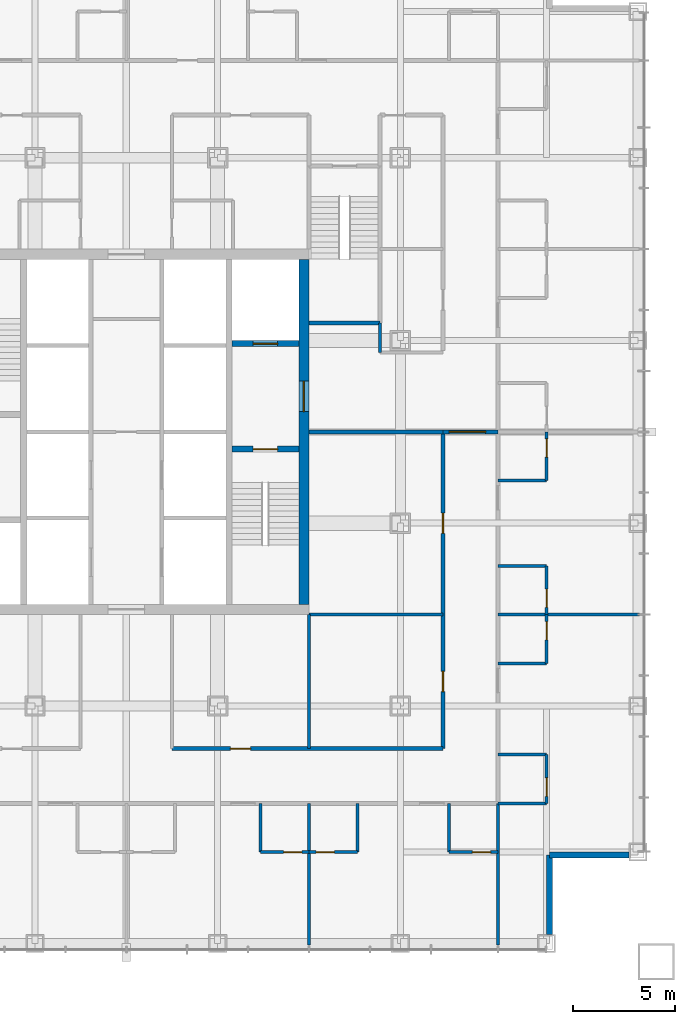
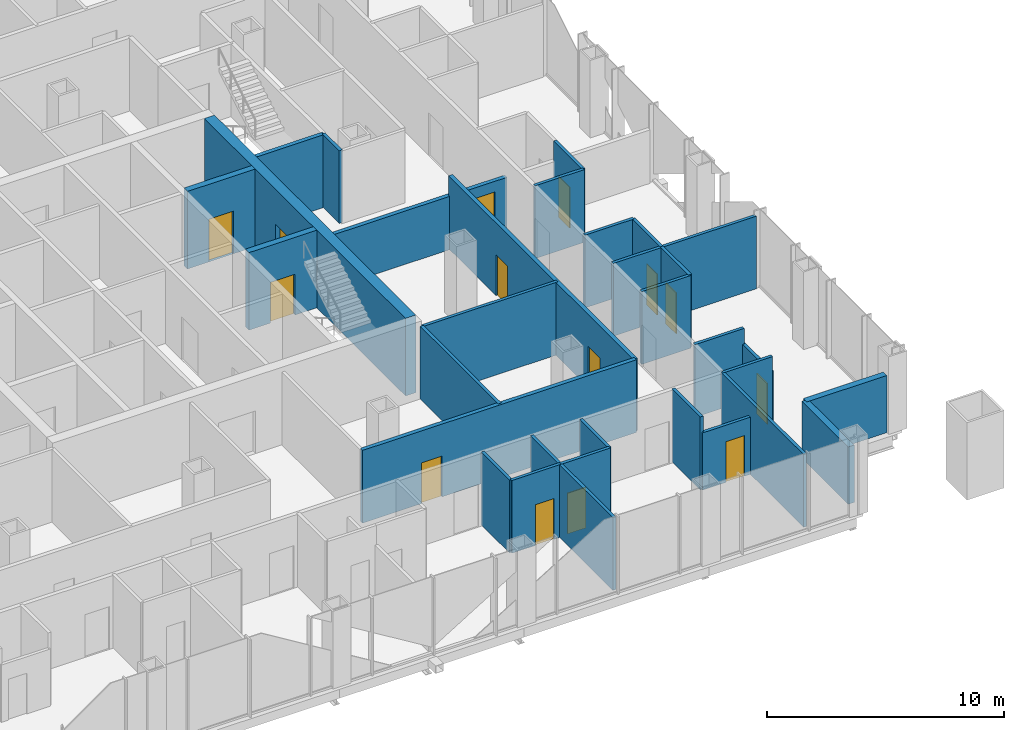
# One storey, part 9 of 13: 31 walls, 14 doors, 14 openings.
"""IFC4 building model written with IfcOpenShell, lengths in metres."""

from ifc_helpers import new_model, si_unit, direction, frame, frame_2d, origin, place, context, subcontext, project, spatial, rectangle, extrude, material, layer, layer_set, type_object, element, fill, save


model = new_model("IFC4")

# Units and contexts
model_context = context("Model", 3, precision=1e-05, world=origin(), true_north=direction((0.0, 1.0)))
body_context = subcontext(model_context, "Body", "Model", "MODEL_VIEW")
ifc_project = project(units=[si_unit("LENGTHUNIT", "METRE"), si_unit("AREAUNIT", "SQUARE_METRE"), si_unit("VOLUMEUNIT", "CUBIC_METRE"), si_unit("PLANEANGLEUNIT", "RADIAN"), si_unit("MASSUNIT", "GRAM", prefix="KILO")], contexts=[model_context])

# Site, building, storey
site_placement = place(None, origin())
site = spatial("IfcSite", under=ifc_project, at=site_placement, CompositionType="ELEMENT")
building_placement = place(site_placement, origin())
building = spatial("IfcBuilding", under=site, at=building_placement, Name="Malebo Sky Hospital", CompositionType="ELEMENT")
storey_placement = place(building_placement, frame((0.0, 0.0, 47.0)))
storey = spatial("IfcBuildingStorey", under=building, at=storey_placement, Name="L10", CompositionType="ELEMENT", Elevation=47.0)

# Wall, opening, door
ifc_material_1 = material(Name="Concrete C80/95", Category="concrete")
ifc_layer_1 = layer(ifc_material_1, 0.300048828125)
ifc_layer_set_1 = layer_set([ifc_layer_1], Name="CORE INNER WALL 300")
wall_type_1 = type_object("IfcWallType", Name="CORE INNER WALL 300", PredefinedType="SHEAR", material=ifc_layer_set_1)
wall_1_placement = place(storey_placement, frame((65.199951171875, 61.14990234375, 0.0), z_axis=(0.0, 0.0, 1.0), x_axis=(1.0, 0.0, 0.0)))
wall_1 = element("IfcWall", 1, at=wall_1_placement, inside=storey, type_object=wall_type_1, Name="Core wall E1 L10", PredefinedType="SHEAR", context=body_context, shape_type="SweptSolid", body=[
    extrude(rectangle(XDim=3.300048828125, YDim=0.300048828125, at=frame_2d((1.64990234375, 0.0))), origin(), (0.0, 0.0, 1.0), 4.0),
])
opening_1_placement = place(wall_1_placement, frame((1.050048828125, 0.0, 0.0)))
opening_1 = element("IfcOpeningElement", 2, at=opening_1_placement, cuts=wall_1, Name="Opening D08", PredefinedType="OPENING", context=body_context, shape_type="SweptSolid", body=[
    extrude(rectangle(XDim=1.199951171875, YDim=2.10009765625, at=frame_2d((0.60009765625, 1.050048828125))), frame((0.0, 0.159912109375, 0.0), z_axis=(0.0, -1.0, 0.0), x_axis=(1.0, 0.0, 0.0)), (0.0, 0.0, 1.0), 0.320068359375),
])
ifc_material_2 = material(Name="Hardwood-faced door leaf in steel frame", Category="steel")
door_type_1 = type_object("IfcDoorType", Name="STAIR DOOR 1200", OperationType="SINGLE_SWING_LEFT", PredefinedType="DOOR", material=ifc_material_2)
door_1_placement = place(opening_1_placement, origin())
door_1 = element("IfcDoor", 3, at=door_1_placement, inside=storey, type_object=door_type_1, Name="Stair S2 door", OperationType="SINGLE_SWING_LEFT", OverallHeight=2.10009765625, OverallWidth=1.199951171875, PredefinedType="DOOR", context=body_context, shape_type="SweptSolid", body=[
    extrude(rectangle(XDim=1.199951171875, YDim=2.10009765625, at=frame_2d((0.60009765625, 1.050048828125))), frame((0.0, 0.02490234375, 0.0), z_axis=(0.0, -1.0, 0.0), x_axis=(1.0, 0.0, 0.0)), (0.0, 0.0, 1.0), 0.050048828125),
])
fill(opening_1, door_1)

wall_2_placement = place(storey_placement, frame((65.199951171875, 66.35009765625, 0.0), z_axis=(0.0, 0.0, 1.0), x_axis=(1.0, 0.0, 0.0)))
wall_2 = element("IfcWall", 4, at=wall_2_placement, inside=storey, type_object=wall_type_1, Name="Core wall E2 L10", PredefinedType="SHEAR", context=body_context, shape_type="SweptSolid", body=[
    extrude(rectangle(XDim=3.300048828125, YDim=0.300048828125, at=frame_2d((1.64990234375, 0.0))), origin(), (0.0, 0.0, 1.0), 4.0),
])
opening_2_placement = place(wall_2_placement, frame((1.050048828125, 0.0, 0.0)))
opening_2 = element("IfcOpeningElement", 5, at=opening_2_placement, cuts=wall_2, Name="Opening LD2", PredefinedType="OPENING", context=body_context, shape_type="SweptSolid", body=[
    extrude(rectangle(XDim=1.199951171875, YDim=2.199951171875, at=frame_2d((0.60009765625, 1.10009765625))), frame((0.0, 0.159912109375, 0.0), z_axis=(0.0, -1.0, 0.0), x_axis=(1.0, 0.0, 0.0)), (0.0, 0.0, 1.0), 0.320068359375),
])
ifc_material_3 = material(Name="Stainless steel sliding landing door", Category="steel")
door_type_2 = type_object("IfcDoorType", Name="FIRE-FIGHTING LIFT LANDING DOOR 1200", OperationType="SLIDING_TO_LEFT", PredefinedType="DOOR", material=ifc_material_3)
door_2_placement = place(opening_2_placement, origin())
door_2 = element("IfcDoor", 6, at=door_2_placement, inside=storey, type_object=door_type_2, Name="Lift FL2 landing door", OperationType="SLIDING_TO_LEFT", OverallHeight=2.199951171875, OverallWidth=1.199951171875, PredefinedType="DOOR", context=body_context, shape_type="SweptSolid", body=[
    extrude(rectangle(XDim=1.199951171875, YDim=2.199951171875, at=frame_2d((0.60009765625, 1.10009765625))), frame((0.0, 0.02490234375, 0.0), z_axis=(0.0, -1.0, 0.0), x_axis=(1.0, 0.0, 0.0)), (0.0, 0.0, 1.0), 0.050048828125),
])
fill(opening_2, door_2)

ifc_layer_2 = layer(ifc_material_1, 0.5)
ifc_layer_set_2 = layer_set([ifc_layer_2], Name="CORE WALL 500")
wall_type_2 = type_object("IfcWallType", Name="CORE WALL 500", PredefinedType="SHEAR", material=ifc_layer_set_2)
wall_3_placement = place(storey_placement, frame((68.75, 53.5, 0.0), z_axis=(0.0, 0.0, 1.0), x_axis=(0.0, 1.0, 0.0)))
wall_3 = element("IfcWall", 7, at=wall_3_placement, inside=storey, type_object=wall_type_2, Name="Core wall E L10", PredefinedType="SHEAR", context=body_context, shape_type="SweptSolid", body=[
    extrude(rectangle(XDim=17.0, YDim=0.5, at=frame_2d((8.5, 0.0))), origin(), (0.0, 0.0, 1.0), 4.0),
])
opening_3_placement = place(wall_3_placement, frame((9.5, 0.0, 0.0)))
opening_3 = element("IfcOpeningElement", 8, at=opening_3_placement, cuts=wall_3, Name="Opening D07", PredefinedType="OPENING", context=body_context, shape_type="SweptSolid", body=[
    extrude(rectangle(XDim=1.5, YDim=2.199951171875, at=frame_2d((0.75, 1.10009765625))), frame((0.0, 0.260009765625, 0.0), z_axis=(0.0, -1.0, 0.0), x_axis=(1.0, 0.0, 0.0)), (0.0, 0.0, 1.0), 0.52001953125),
])
door_type_3 = type_object("IfcDoorType", Name="FIRE-FIGHTING LOBBY DOOR PAIR 1500", OperationType="DOUBLE_DOOR_SINGLE_SWING", PredefinedType="DOOR", material=ifc_material_2)
door_3_placement = place(opening_3_placement, origin())
door_3 = element("IfcDoor", 9, at=door_3_placement, inside=storey, type_object=door_type_3, Name="Fire-fighting lobby door east", OperationType="DOUBLE_DOOR_SINGLE_SWING", OverallHeight=2.199951171875, OverallWidth=1.5, PredefinedType="DOOR", context=body_context, shape_type="SweptSolid", body=[
    extrude(rectangle(XDim=1.5, YDim=2.199951171875, at=frame_2d((0.75, 1.10009765625))), frame((0.0, 0.02490234375, 0.0), z_axis=(0.0, -1.0, 0.0), x_axis=(1.0, 0.0, 0.0)), (0.0, 0.0, 1.0), 0.050048828125),
])
fill(opening_3, door_3)

ifc_material_4 = material(Name="Gypsum board on steel studs", Category="steel")
ifc_layer_3 = layer(ifc_material_4, 0.199951171875)
ifc_layer_set_3 = layer_set([ifc_layer_3], Name="CORRIDOR WALL 200")
wall_type_3 = type_object("IfcWallType", Name="CORRIDOR WALL 200", PredefinedType="PARTITIONING", material=ifc_layer_set_3)
wall_4_placement = place(storey_placement, frame((75.60009765625, 46.39990234375, 0.0), z_axis=(0.0, 0.0, 1.0), x_axis=(-1.0, 0.0, 0.0)))
wall_4 = element("IfcWall", 10, at=wall_4_placement, inside=storey, type_object=wall_type_3, Name="Corridor Wall 200 SCI1", PredefinedType="PARTITIONING", context=body_context, shape_type="SweptSolid", body=[
    extrude(rectangle(XDim=13.35009765625, YDim=0.199951171875, at=frame_2d((6.675048828125, 0.0))), origin(), (0.0, 0.0, 1.0), 3.75),
])
opening_4_placement = place(wall_4_placement, frame((9.47509765625, 0.0, 0.0)))
opening_4 = element("IfcOpeningElement", 11, at=opening_4_placement, cuts=wall_4, Name="Opening D03", PredefinedType="OPENING", context=body_context, shape_type="SweptSolid", body=[
    extrude(rectangle(XDim=1.0, YDim=2.10009765625, at=frame_2d((0.5, 1.050048828125))), frame((0.0, 0.10986328125, 0.0), z_axis=(0.0, -1.0, 0.0), x_axis=(1.0, 0.0, 0.0)), (0.0, 0.0, 1.0), 0.219970703125),
])
door_type_4 = type_object("IfcDoorType", Name="ROOM DOOR 1000", OperationType="SINGLE_SWING_LEFT", PredefinedType="DOOR", material=ifc_material_2)
door_4_placement = place(opening_4_placement, origin())
door_4 = element("IfcDoor", 12, at=door_4_placement, inside=storey, type_object=door_type_4, Name="Treatment room door", OperationType="SINGLE_SWING_LEFT", OverallHeight=2.10009765625, OverallWidth=1.0, PredefinedType="DOOR", context=body_context, shape_type="SweptSolid", body=[
    extrude(rectangle(XDim=1.0, YDim=2.10009765625, at=frame_2d((0.5, 1.050048828125))), frame((0.0, 0.02490234375, 0.0), z_axis=(0.0, -1.0, 0.0), x_axis=(1.0, 0.0, 0.0)), (0.0, 0.0, 1.0), 0.050048828125),
])
fill(opening_4, door_4)

# Wall, openings, doors
wall_5_placement = place(storey_placement, frame((75.60009765625, 62.0, 0.0), z_axis=(0.0, 0.0, 1.0), x_axis=(0.0, -1.0, 0.0)))
wall_5 = element("IfcWall", 13, at=wall_5_placement, inside=storey, type_object=wall_type_3, Name="Corridor Wall 200 ECI2", PredefinedType="PARTITIONING", context=body_context, shape_type="SweptSolid", body=[
    extrude(rectangle(XDim=15.60009765625, YDim=0.199951171875, at=frame_2d((7.800048828125, 0.0))), origin(), (0.0, 0.0, 1.0), 3.75),
])
opening_5_placement = place(wall_5_placement, frame((4.0, 0.0, 0.0)))
opening_5 = element("IfcOpeningElement", 14, at=opening_5_placement, cuts=wall_5, Name="Opening D03", PredefinedType="OPENING", context=body_context, shape_type="SweptSolid", body=[
    extrude(rectangle(XDim=1.0, YDim=2.10009765625, at=frame_2d((0.5, 1.050048828125))), frame((0.0, 0.10986328125, 0.0), z_axis=(0.0, -1.0, 0.0), x_axis=(1.0, 0.0, 0.0)), (0.0, 0.0, 1.0), 0.219970703125),
])
opening_6_placement = place(wall_5_placement, frame((11.800048828125, 0.0, 0.0)))
opening_6 = element("IfcOpeningElement", 15, at=opening_6_placement, cuts=wall_5, Name="Opening D03", PredefinedType="OPENING", context=body_context, shape_type="SweptSolid", body=[
    extrude(rectangle(XDim=1.0, YDim=2.10009765625, at=frame_2d((0.5, 1.050048828125))), frame((0.0, 0.10986328125, 0.0), z_axis=(0.0, -1.0, 0.0), x_axis=(1.0, 0.0, 0.0)), (0.0, 0.0, 1.0), 0.219970703125),
])
door_5_placement = place(opening_5_placement, origin())
door_5 = element("IfcDoor", 16, at=door_5_placement, inside=storey, type_object=door_type_4, Name="Staff rest room door", OperationType="SINGLE_SWING_LEFT", OverallHeight=2.10009765625, OverallWidth=1.0, PredefinedType="DOOR", context=body_context, shape_type="SweptSolid", body=[
    extrude(rectangle(XDim=1.0, YDim=2.10009765625, at=frame_2d((0.5, 1.050048828125))), frame((0.0, 0.02490234375, 0.0), z_axis=(0.0, -1.0, 0.0), x_axis=(1.0, 0.0, 0.0)), (0.0, 0.0, 1.0), 0.050048828125),
])
fill(opening_5, door_5)
door_6_placement = place(opening_6_placement, origin())
door_6 = element("IfcDoor", 17, at=door_6_placement, inside=storey, type_object=door_type_4, Name="Dirty utility room door", OperationType="SINGLE_SWING_RIGHT", OverallHeight=2.10009765625, OverallWidth=1.0, PredefinedType="DOOR", context=body_context, shape_type="SweptSolid", body=[
    extrude(rectangle(XDim=1.0, YDim=2.10009765625, at=frame_2d((0.5, 1.050048828125))), frame((0.0, 0.02490234375, 0.0), z_axis=(0.0, -1.0, 0.0), x_axis=(1.0, 0.0, 0.0)), (0.0, 0.0, 1.0), 0.050048828125),
])
fill(opening_6, door_6)

# Walls
ifc_material_5 = material(Name="Anodised aluminium rainscreen on steel framing", Category="steel")
ifc_layer_4 = layer(ifc_material_5, 0.300048828125)
ifc_layer_set_4 = layer_set([ifc_layer_4], Name="NOTCH RAINSCREEN WALL 300")
wall_type_4 = type_object("IfcWallType", Name="NOTCH RAINSCREEN WALL 300", PredefinedType="ELEMENTEDWALL", material=ifc_layer_set_4)
for number, where, z_axis, x_axis, name in (
    (18, (84.75, 41.14990234375, 0.0), (0.0, 0.0, 1.0), (-1.0, 0.0, 0.0), "Notch rainscreen wall E1 L10"),
    (19, (80.85009765625, 41.14990234375, 0.0), (0.0, 0.0, 1.0), (0.0, -1.0, 0.0), "Notch rainscreen wall E2 L10"),
):
    element("IfcWall", number, at=place(storey_placement, frame(where, z_axis=z_axis, x_axis=x_axis)), inside=storey, type_object=wall_type_4, Name=name, PredefinedType="ELEMENTEDWALL", context=body_context, shape_type="SweptSolid", body=[
        extrude(rectangle(XDim=3.89990234375, YDim=0.300048828125, at=frame_2d((1.949951171875, 0.0))), origin(), (0.0, 0.0, 1.0), 2.949951171875),
    ])
ifc_layer_5 = layer(ifc_material_4, 0.14990234375)
ifc_layer_set_5 = layer_set([ifc_layer_5], Name="PARTITION 150")
wall_type_5 = type_object("IfcWallType", Name="PARTITION 150", PredefinedType="PARTITIONING", material=ifc_layer_set_5)
for number, where, z_axis, x_axis, name in (
    (20, (69.0, 43.699951171875, 0.0), (0.0, 0.0, 1.0), (0.0, -1.0, 0.0), "Partition 150 SP-9.0"),
    (21, (78.300048828125, 43.699951171875, 0.0), (0.0, 0.0, 1.0), (0.0, -1.0, 0.0), "Partition 150 SP0"),
):
    element("IfcWall", number, at=place(storey_placement, frame(where, z_axis=z_axis, x_axis=x_axis)), inside=storey, type_object=wall_type_5, Name=name, PredefinedType="PARTITIONING", context=body_context, shape_type="SweptSolid", body=[
        extrude(rectangle(XDim=6.974853515625, YDim=0.14990234375, at=frame_2d((3.4873046875, 0.0))), origin(), (0.0, 0.0, 1.0), 3.75),
    ])

# Wall, opening, door
wall_6_placement = place(storey_placement, frame((78.300048828125, 41.300048828125, 0.0), z_axis=(0.0, 0.0, 1.0), x_axis=(-1.0, 0.0, 0.0)))
wall_6 = element("IfcWall", 22, at=wall_6_placement, inside=storey, type_object=wall_type_5, Name="Partition 150 SE0F", PredefinedType="PARTITIONING", context=body_context, shape_type="SweptSolid", body=[
    extrude(rectangle(XDim=2.400146484375, YDim=0.14990234375, at=frame_2d((1.2001953125, 0.0))), origin(), (0.0, 0.0, 1.0), 2.949951171875),
])
opening_7_placement = place(wall_6_placement, frame((0.35009765625, 0.0, 0.0)))
opening_7 = element("IfcOpeningElement", 23, at=opening_7_placement, cuts=wall_6, Name="Opening D02", PredefinedType="OPENING", context=body_context, shape_type="SweptSolid", body=[
    extrude(rectangle(XDim=0.89990234375, YDim=2.10009765625, at=frame_2d((0.449951171875, 1.050048828125))), frame((0.0, 0.0849609375, 0.0), z_axis=(0.0, -1.0, 0.0), x_axis=(1.0, 0.0, 0.0)), (0.0, 0.0, 1.0), 0.169921875),
])
door_type_5 = type_object("IfcDoorType", Name="EN-SUITE DOOR 900", OperationType="SINGLE_SWING_LEFT", PredefinedType="DOOR", material=ifc_material_2)
door_7_placement = place(opening_7_placement, origin())
door_7 = element("IfcDoor", 24, at=door_7_placement, inside=storey, type_object=door_type_5, Name="En-suite door", OperationType="SINGLE_SWING_LEFT", OverallHeight=2.10009765625, OverallWidth=0.89990234375, PredefinedType="DOOR", context=body_context, shape_type="SweptSolid", body=[
    extrude(rectangle(XDim=0.89990234375, YDim=2.10009765625, at=frame_2d((0.449951171875, 1.050048828125))), frame((0.0, 0.02490234375, 0.0), z_axis=(0.0, -1.0, 0.0), x_axis=(1.0, 0.0, 0.0)), (0.0, 0.0, 1.0), 0.050048828125),
])
fill(opening_7, door_7)

# Wall
wall_7_placement = place(storey_placement, frame((75.89990234375, 43.699951171875, 0.0), z_axis=(0.0, 0.0, 1.0), x_axis=(0.0, -1.0, 0.0)))
element("IfcWall", 25, at=wall_7_placement, inside=storey, type_object=wall_type_5, Name="Partition 150 SE0S", PredefinedType="PARTITIONING", context=body_context, shape_type="SweptSolid", body=[
    extrude(rectangle(XDim=2.39990234375, YDim=0.14990234375, at=frame_2d((1.199951171875, 0.0))), origin(), (0.0, 0.0, 1.0), 3.75),
])

# Wall, opening, door
wall_8_placement = place(storey_placement, frame((71.39990234375, 41.300048828125, 0.0), z_axis=(0.0, 0.0, 1.0), x_axis=(-1.0, 0.0, 0.0)))
wall_8 = element("IfcWall", 26, at=wall_8_placement, inside=storey, type_object=wall_type_5, Name="Partition 150 SG0F", PredefinedType="PARTITIONING", context=body_context, shape_type="SweptSolid", body=[
    extrude(rectangle(XDim=2.39990234375, YDim=0.14990234375, at=frame_2d((1.199951171875, 0.0))), origin(), (0.0, 0.0, 1.0), 3.75),
])
opening_8_placement = place(wall_8_placement, frame((1.14990234375, 0.0, 0.0)))
opening_8 = element("IfcOpeningElement", 27, at=opening_8_placement, cuts=wall_8, Name="Opening D02", PredefinedType="OPENING", context=body_context, shape_type="SweptSolid", body=[
    extrude(rectangle(XDim=0.89990234375, YDim=2.10009765625, at=frame_2d((0.449951171875, 1.050048828125))), frame((0.0, 0.0849609375, 0.0), z_axis=(0.0, -1.0, 0.0), x_axis=(1.0, 0.0, 0.0)), (0.0, 0.0, 1.0), 0.169921875),
])
door_8_placement = place(opening_8_placement, origin())
door_8 = element("IfcDoor", 28, at=door_8_placement, inside=storey, type_object=door_type_5, Name="En-suite door", OperationType="SINGLE_SWING_RIGHT", OverallHeight=2.10009765625, OverallWidth=0.89990234375, PredefinedType="DOOR", context=body_context, shape_type="SweptSolid", body=[
    extrude(rectangle(XDim=0.89990234375, YDim=2.10009765625, at=frame_2d((0.449951171875, 1.050048828125))), frame((0.0, 0.02490234375, 0.0), z_axis=(0.0, -1.0, 0.0), x_axis=(1.0, 0.0, 0.0)), (0.0, 0.0, 1.0), 0.050048828125),
])
fill(opening_8, door_8)

# Wall
wall_9_placement = place(storey_placement, frame((71.39990234375, 43.699951171875, 0.0), z_axis=(0.0, 0.0, 1.0), x_axis=(0.0, -1.0, 0.0)))
element("IfcWall", 29, at=wall_9_placement, inside=storey, type_object=wall_type_5, Name="Partition 150 SG0S", PredefinedType="PARTITIONING", context=body_context, shape_type="SweptSolid", body=[
    extrude(rectangle(XDim=2.39990234375, YDim=0.14990234375, at=frame_2d((1.199951171875, 0.0))), origin(), (0.0, 0.0, 1.0), 3.75),
])

# Wall, opening, door
wall_10_placement = place(storey_placement, frame((69.0, 41.300048828125, 0.0), z_axis=(0.0, 0.0, 1.0), x_axis=(-1.0, 0.0, 0.0)))
wall_10 = element("IfcWall", 30, at=wall_10_placement, inside=storey, type_object=wall_type_5, Name="Partition 150 SE1F", PredefinedType="PARTITIONING", context=body_context, shape_type="SweptSolid", body=[
    extrude(rectangle(XDim=2.39990234375, YDim=0.14990234375, at=frame_2d((1.199951171875, 0.0))), origin(), (0.0, 0.0, 1.0), 3.75),
])
opening_9_placement = place(wall_10_placement, frame((0.35009765625, 0.0, 0.0)))
opening_9 = element("IfcOpeningElement", 31, at=opening_9_placement, cuts=wall_10, Name="Opening D02", PredefinedType="OPENING", context=body_context, shape_type="SweptSolid", body=[
    extrude(rectangle(XDim=0.89990234375, YDim=2.10009765625, at=frame_2d((0.449951171875, 1.050048828125))), frame((0.0, 0.0849609375, 0.0), z_axis=(0.0, -1.0, 0.0), x_axis=(1.0, 0.0, 0.0)), (0.0, 0.0, 1.0), 0.169921875),
])
door_9_placement = place(opening_9_placement, origin())
door_9 = element("IfcDoor", 32, at=door_9_placement, inside=storey, type_object=door_type_5, Name="En-suite door", OperationType="SINGLE_SWING_LEFT", OverallHeight=2.10009765625, OverallWidth=0.89990234375, PredefinedType="DOOR", context=body_context, shape_type="SweptSolid", body=[
    extrude(rectangle(XDim=0.89990234375, YDim=2.10009765625, at=frame_2d((0.449951171875, 1.050048828125))), frame((0.0, 0.02490234375, 0.0), z_axis=(0.0, -1.0, 0.0), x_axis=(1.0, 0.0, 0.0)), (0.0, 0.0, 1.0), 0.050048828125),
])
fill(opening_9, door_9)

# Walls
wall_11_placement = place(storey_placement, frame((66.60009765625, 43.699951171875, 0.0), z_axis=(0.0, 0.0, 1.0), x_axis=(0.0, -1.0, 0.0)))
element("IfcWall", 33, at=wall_11_placement, inside=storey, type_object=wall_type_5, Name="Partition 150 SE1S", PredefinedType="PARTITIONING", context=body_context, shape_type="SweptSolid", body=[
    extrude(rectangle(XDim=2.39990234375, YDim=0.14990234375, at=frame_2d((1.199951171875, 0.0))), origin(), (0.0, 0.0, 1.0), 3.75),
])
wall_12_placement = place(storey_placement, frame((69.0, 53.0, 0.0), z_axis=(0.0, 0.0, 1.0), x_axis=(0.0, -1.0, 0.0)))
element("IfcWall", 34, at=wall_12_placement, inside=storey, type_object=wall_type_5, Name="Partition 150 SSP0", PredefinedType="PARTITIONING", context=body_context, shape_type="SweptSolid", body=[
    extrude(rectangle(XDim=6.60009765625, YDim=0.14990234375, at=frame_2d((3.300048828125, 0.0))), origin(), (0.0, 0.0, 1.0), 3.75),
])
wall_13_placement = place(storey_placement, frame((78.300048828125, 53.0, 0.0), z_axis=(0.0, 0.0, 1.0), x_axis=(1.0, 0.0, 0.0)))
element("IfcWall", 35, at=wall_13_placement, inside=storey, type_object=wall_type_5, Name="Partition 150 EP+9.0", PredefinedType="PARTITIONING", context=body_context, shape_type="SweptSolid", body=[
    extrude(rectangle(XDim=6.974853515625, YDim=0.14990234375, at=frame_2d((3.4873046875, 0.0))), origin(), (0.0, 0.0, 1.0), 3.75),
])

# Wall, opening, door
wall_14_placement = place(storey_placement, frame((80.699951171875, 62.0, 0.0), z_axis=(0.0, 0.0, 1.0), x_axis=(0.0, -1.0, 0.0)))
wall_14 = element("IfcWall", 36, at=wall_14_placement, inside=storey, type_object=wall_type_5, Name="Partition 150 EE2F", PredefinedType="PARTITIONING", context=body_context, shape_type="SweptSolid", body=[
    extrude(rectangle(XDim=2.39990234375, YDim=0.14990234375, at=frame_2d((1.199951171875, 0.0))), origin(), (0.0, 0.0, 1.0), 3.75),
])
opening_10_placement = place(wall_14_placement, frame((0.35009765625, 0.0, 0.0)))
opening_10 = element("IfcOpeningElement", 37, at=opening_10_placement, cuts=wall_14, Name="Opening D02", PredefinedType="OPENING", context=body_context, shape_type="SweptSolid", body=[
    extrude(rectangle(XDim=0.89990234375, YDim=2.10009765625, at=frame_2d((0.449951171875, 1.050048828125))), frame((0.0, 0.0849609375, 0.0), z_axis=(0.0, -1.0, 0.0), x_axis=(1.0, 0.0, 0.0)), (0.0, 0.0, 1.0), 0.169921875),
])
door_10_placement = place(opening_10_placement, origin())
door_10 = element("IfcDoor", 38, at=door_10_placement, inside=storey, type_object=door_type_5, Name="En-suite door", OperationType="SINGLE_SWING_LEFT", OverallHeight=2.10009765625, OverallWidth=0.89990234375, PredefinedType="DOOR", context=body_context, shape_type="SweptSolid", body=[
    extrude(rectangle(XDim=0.89990234375, YDim=2.10009765625, at=frame_2d((0.449951171875, 1.050048828125))), frame((0.0, 0.02490234375, 0.0), z_axis=(0.0, -1.0, 0.0), x_axis=(1.0, 0.0, 0.0)), (0.0, 0.0, 1.0), 0.050048828125),
])
fill(opening_10, door_10)

# Wall
wall_15_placement = place(storey_placement, frame((78.300048828125, 59.60009765625, 0.0), z_axis=(0.0, 0.0, 1.0), x_axis=(1.0, 0.0, 0.0)))
element("IfcWall", 39, at=wall_15_placement, inside=storey, type_object=wall_type_5, Name="Partition 150 EE2S", PredefinedType="PARTITIONING", context=body_context, shape_type="SweptSolid", body=[
    extrude(rectangle(XDim=2.39990234375, YDim=0.14990234375, at=frame_2d((1.199951171875, 0.0))), origin(), (0.0, 0.0, 1.0), 3.75),
])

# Wall, opening, door
wall_16_placement = place(storey_placement, frame((80.699951171875, 55.39990234375, 0.0), z_axis=(0.0, 0.0, 1.0), x_axis=(0.0, -1.0, 0.0)))
wall_16 = element("IfcWall", 40, at=wall_16_placement, inside=storey, type_object=wall_type_5, Name="Partition 150 EG2F", PredefinedType="PARTITIONING", context=body_context, shape_type="SweptSolid", body=[
    extrude(rectangle(XDim=2.39990234375, YDim=0.14990234375, at=frame_2d((1.199951171875, 0.0))), origin(), (0.0, 0.0, 1.0), 3.75),
])
opening_11_placement = place(wall_16_placement, frame((1.14990234375, 0.0, 0.0)))
opening_11 = element("IfcOpeningElement", 41, at=opening_11_placement, cuts=wall_16, Name="Opening D02", PredefinedType="OPENING", context=body_context, shape_type="SweptSolid", body=[
    extrude(rectangle(XDim=0.89990234375, YDim=2.10009765625, at=frame_2d((0.449951171875, 1.050048828125))), frame((0.0, 0.0849609375, 0.0), z_axis=(0.0, -1.0, 0.0), x_axis=(1.0, 0.0, 0.0)), (0.0, 0.0, 1.0), 0.169921875),
])
door_11_placement = place(opening_11_placement, origin())
door_11 = element("IfcDoor", 42, at=door_11_placement, inside=storey, type_object=door_type_5, Name="En-suite door", OperationType="SINGLE_SWING_RIGHT", OverallHeight=2.10009765625, OverallWidth=0.89990234375, PredefinedType="DOOR", context=body_context, shape_type="SweptSolid", body=[
    extrude(rectangle(XDim=0.89990234375, YDim=2.10009765625, at=frame_2d((0.449951171875, 1.050048828125))), frame((0.0, 0.02490234375, 0.0), z_axis=(0.0, -1.0, 0.0), x_axis=(1.0, 0.0, 0.0)), (0.0, 0.0, 1.0), 0.050048828125),
])
fill(opening_11, door_11)

# Wall
wall_17_placement = place(storey_placement, frame((78.300048828125, 55.39990234375, 0.0), z_axis=(0.0, 0.0, 1.0), x_axis=(1.0, 0.0, 0.0)))
element("IfcWall", 43, at=wall_17_placement, inside=storey, type_object=wall_type_5, Name="Partition 150 EG2S", PredefinedType="PARTITIONING", context=body_context, shape_type="SweptSolid", body=[
    extrude(rectangle(XDim=2.39990234375, YDim=0.14990234375, at=frame_2d((1.199951171875, 0.0))), origin(), (0.0, 0.0, 1.0), 3.75),
])

# Wall, opening, door
wall_18_placement = place(storey_placement, frame((80.699951171875, 53.0, 0.0), z_axis=(0.0, 0.0, 1.0), x_axis=(0.0, -1.0, 0.0)))
wall_18 = element("IfcWall", 44, at=wall_18_placement, inside=storey, type_object=wall_type_5, Name="Partition 150 EE3F", PredefinedType="PARTITIONING", context=body_context, shape_type="SweptSolid", body=[
    extrude(rectangle(XDim=2.39990234375, YDim=0.14990234375, at=frame_2d((1.199951171875, 0.0))), origin(), (0.0, 0.0, 1.0), 3.75),
])
opening_12_placement = place(wall_18_placement, frame((0.35009765625, 0.0, 0.0)))
opening_12 = element("IfcOpeningElement", 45, at=opening_12_placement, cuts=wall_18, Name="Opening D02", PredefinedType="OPENING", context=body_context, shape_type="SweptSolid", body=[
    extrude(rectangle(XDim=0.89990234375, YDim=2.10009765625, at=frame_2d((0.449951171875, 1.050048828125))), frame((0.0, 0.0849609375, 0.0), z_axis=(0.0, -1.0, 0.0), x_axis=(1.0, 0.0, 0.0)), (0.0, 0.0, 1.0), 0.169921875),
])
door_12_placement = place(opening_12_placement, origin())
door_12 = element("IfcDoor", 46, at=door_12_placement, inside=storey, type_object=door_type_5, Name="En-suite door", OperationType="SINGLE_SWING_LEFT", OverallHeight=2.10009765625, OverallWidth=0.89990234375, PredefinedType="DOOR", context=body_context, shape_type="SweptSolid", body=[
    extrude(rectangle(XDim=0.89990234375, YDim=2.10009765625, at=frame_2d((0.449951171875, 1.050048828125))), frame((0.0, 0.02490234375, 0.0), z_axis=(0.0, -1.0, 0.0), x_axis=(1.0, 0.0, 0.0)), (0.0, 0.0, 1.0), 0.050048828125),
])
fill(opening_12, door_12)

# Wall
wall_19_placement = place(storey_placement, frame((78.300048828125, 50.60009765625, 0.0), z_axis=(0.0, 0.0, 1.0), x_axis=(1.0, 0.0, 0.0)))
element("IfcWall", 47, at=wall_19_placement, inside=storey, type_object=wall_type_5, Name="Partition 150 EE3S", PredefinedType="PARTITIONING", context=body_context, shape_type="SweptSolid", body=[
    extrude(rectangle(XDim=2.39990234375, YDim=0.14990234375, at=frame_2d((1.199951171875, 0.0))), origin(), (0.0, 0.0, 1.0), 3.75),
])

# Wall, opening, door
wall_20_placement = place(storey_placement, frame((80.699951171875, 46.10009765625, 0.0), z_axis=(0.0, 0.0, 1.0), x_axis=(0.0, -1.0, 0.0)))
wall_20 = element("IfcWall", 48, at=wall_20_placement, inside=storey, type_object=wall_type_5, Name="Partition 150 EG3F", PredefinedType="PARTITIONING", context=body_context, shape_type="SweptSolid", body=[
    extrude(rectangle(XDim=2.400146484375, YDim=0.14990234375, at=frame_2d((1.2001953125, 0.0))), origin(), (0.0, 0.0, 1.0), 2.949951171875),
])
opening_13_placement = place(wall_20_placement, frame((1.14990234375, 0.0, 0.0)))
opening_13 = element("IfcOpeningElement", 49, at=opening_13_placement, cuts=wall_20, Name="Opening D02", PredefinedType="OPENING", context=body_context, shape_type="SweptSolid", body=[
    extrude(rectangle(XDim=0.89990234375, YDim=2.10009765625, at=frame_2d((0.449951171875, 1.050048828125))), frame((0.0, 0.0849609375, 0.0), z_axis=(0.0, -1.0, 0.0), x_axis=(1.0, 0.0, 0.0)), (0.0, 0.0, 1.0), 0.169921875),
])
door_13_placement = place(opening_13_placement, origin())
door_13 = element("IfcDoor", 50, at=door_13_placement, inside=storey, type_object=door_type_5, Name="En-suite door", OperationType="SINGLE_SWING_RIGHT", OverallHeight=2.10009765625, OverallWidth=0.89990234375, PredefinedType="DOOR", context=body_context, shape_type="SweptSolid", body=[
    extrude(rectangle(XDim=0.89990234375, YDim=2.10009765625, at=frame_2d((0.449951171875, 1.050048828125))), frame((0.0, 0.02490234375, 0.0), z_axis=(0.0, -1.0, 0.0), x_axis=(1.0, 0.0, 0.0)), (0.0, 0.0, 1.0), 0.050048828125),
])
fill(opening_13, door_13)

# Walls
for number, where, z_axis, x_axis, name in (
    (51, (78.300048828125, 46.10009765625, 0.0), (0.0, 0.0, 1.0), (1.0, 0.0, 0.0), "Partition 150 EG3S"),
    (52, (78.300048828125, 43.699951171875, 0.0), (0.0, 0.0, 1.0), (1.0, 0.0, 0.0), "Partition 150 EEZ"),
):
    element("IfcWall", number, at=place(storey_placement, frame(where, z_axis=z_axis, x_axis=x_axis)), inside=storey, type_object=wall_type_5, Name=name, PredefinedType="PARTITIONING", context=body_context, shape_type="SweptSolid", body=[
        extrude(rectangle(XDim=2.39990234375, YDim=0.14990234375, at=frame_2d((1.199951171875, 0.0))), origin(), (0.0, 0.0, 1.0), 3.75),
    ])
wall_21_placement = place(storey_placement, frame((69.0, 53.0, 0.0), z_axis=(0.0, 0.0, 1.0), x_axis=(1.0, 0.0, 0.0)))
element("IfcWall", 53, at=wall_21_placement, inside=storey, type_object=wall_type_5, Name="Partition 150 ESP+9.0", PredefinedType="PARTITIONING", context=body_context, shape_type="SweptSolid", body=[
    extrude(rectangle(XDim=6.60009765625, YDim=0.14990234375, at=frame_2d((3.300048828125, 0.0))), origin(), (0.0, 0.0, 1.0), 3.75),
])
wall_22_placement = place(storey_placement, frame((72.5, 65.89990234375, 0.0), z_axis=(0.0, 0.0, 1.0), x_axis=(0.0, 1.0, 0.0)))
element("IfcWall", 54, at=wall_22_placement, inside=storey, type_object=wall_type_5, Name="Partition 150 ST3C", PredefinedType="PARTITIONING", context=body_context, shape_type="SweptSolid", body=[
    extrude(rectangle(XDim=1.4501953125, YDim=0.14990234375, at=frame_2d((0.72509765625, 0.0))), origin(), (0.0, 0.0, 1.0), 3.75),
])
ifc_material_6 = material(Name="Concrete blockwork", Category="masonry")
ifc_layer_6 = layer(ifc_material_6, 0.199951171875)
ifc_layer_set_6 = layer_set([ifc_layer_6], Name="SMOKE BARRIER WALL 200")
wall_type_6 = type_object("IfcWallType", Name="SMOKE BARRIER WALL 200", PredefinedType="SOLIDWALL", material=ifc_layer_set_6)
wall_23_placement = place(storey_placement, frame((69.0, 62.0, 0.0), z_axis=(0.0, 0.0, 1.0), x_axis=(1.0, 0.0, 0.0)))
element("IfcWall", 55, at=wall_23_placement, inside=storey, type_object=wall_type_6, Name="Smoke Barrier Wall 200 ESPB", PredefinedType="SOLIDWALL", context=body_context, shape_type="SweptSolid", body=[
    extrude(rectangle(XDim=6.60009765625, YDim=0.199951171875, at=frame_2d((3.300048828125, 0.0))), origin(), (0.0, 0.0, 1.0), 2.75),
])

# Wall, opening, door
wall_24_placement = place(storey_placement, frame((75.60009765625, 62.0, 0.0), z_axis=(0.0, 0.0, 1.0), x_axis=(1.0, 0.0, 0.0)))
wall_24 = element("IfcWall", 56, at=wall_24_placement, inside=storey, type_object=wall_type_6, Name="Smoke Barrier Wall 200 ESB", PredefinedType="SOLIDWALL", context=body_context, shape_type="SweptSolid", body=[
    extrude(rectangle(XDim=2.699951171875, YDim=0.199951171875, at=frame_2d((1.35009765625, 0.0))), origin(), (0.0, 0.0, 1.0), 2.75),
])
opening_14_placement = place(wall_24_placement, frame((0.300048828125, 0.0, 0.0)))
opening_14 = element("IfcOpeningElement", 57, at=opening_14_placement, cuts=wall_24, Name="Opening D05", PredefinedType="OPENING", context=body_context, shape_type="SweptSolid", body=[
    extrude(rectangle(XDim=1.800048828125, YDim=2.199951171875, at=frame_2d((0.89990234375, 1.10009765625))), frame((0.0, 0.10986328125, 0.0), z_axis=(0.0, -1.0, 0.0), x_axis=(1.0, 0.0, 0.0)), (0.0, 0.0, 1.0), 0.219970703125),
])
door_type_6 = type_object("IfcDoorType", Name="SMOKE DOOR PAIR 1800", OperationType="DOUBLE_DOOR_DOUBLE_SWING", PredefinedType="DOOR", material=ifc_material_2)
door_14_placement = place(opening_14_placement, origin())
door_14 = element("IfcDoor", 58, at=door_14_placement, inside=storey, type_object=door_type_6, Name="Smoke compartment door pair", OperationType="DOUBLE_DOOR_DOUBLE_SWING", OverallHeight=2.199951171875, OverallWidth=1.800048828125, PredefinedType="DOOR", context=body_context, shape_type="SweptSolid", body=[
    extrude(rectangle(XDim=1.800048828125, YDim=2.199951171875, at=frame_2d((0.89990234375, 1.10009765625))), frame((0.0, 0.02490234375, 0.0), z_axis=(0.0, -1.0, 0.0), x_axis=(1.0, 0.0, 0.0)), (0.0, 0.0, 1.0), 0.050048828125),
])
fill(opening_14, door_14)

# Wall
ifc_material_7 = material(Name="Concrete C40/50", Category="concrete")
ifc_layer_7 = layer(ifc_material_7, 0.199951171875)
ifc_layer_set_7 = layer_set([ifc_layer_7], Name="STAIR ENCLOSURE WALL 200")
wall_type_7 = type_object("IfcWallType", Name="STAIR ENCLOSURE WALL 200", PredefinedType="SOLIDWALL", material=ifc_layer_set_7)
wall_25_placement = place(storey_placement, frame((69.0, 67.35009765625, 0.0), z_axis=(0.0, 0.0, 1.0), x_axis=(1.0, 0.0, 0.0)))
element("IfcWall", 59, at=wall_25_placement, inside=storey, type_object=wall_type_7, Name="Stair Enclosure Wall 200 ST3S", PredefinedType="SOLIDWALL", context=body_context, shape_type="SweptSolid", body=[
    extrude(rectangle(XDim=3.5, YDim=0.199951171875, at=frame_2d((1.75, 0.0))), origin(), (0.0, 0.0, 1.0), 3.75),
])

save(model, "model.ifc")
